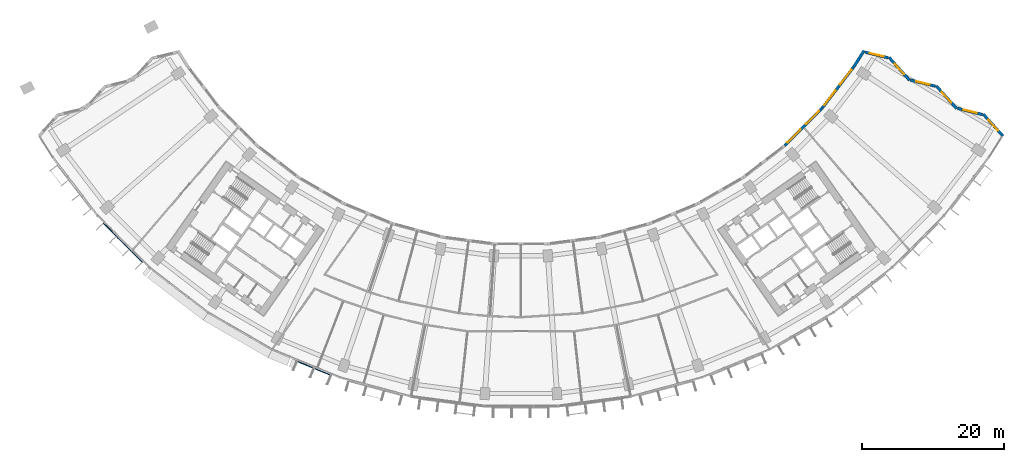
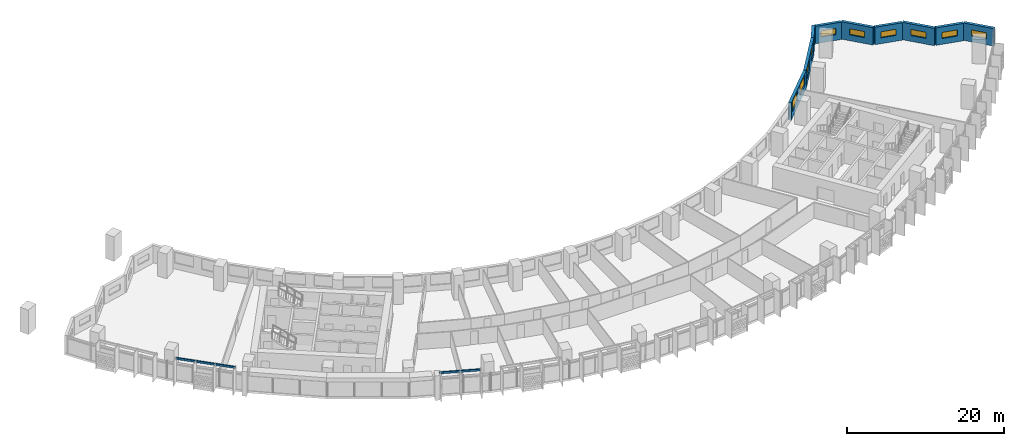
# One storey, part 8 of 31: 10 windows, 9 walls, 2 discrete accessories, 10 openings.
"""IFC4 building model written with IfcOpenShell, lengths in metres."""

from ifc_helpers import new_model, si_unit, direction, frame, frame_2d, origin, origin_2d, place, context, subcontext, project, spatial, rectangle, extrude, material, layer, layer_set, type_object, element, fill, save


model = new_model("IFC4")

# Units and contexts
model_context = context("Model", 3, precision=1e-05, world=origin(), true_north=direction((0.0, 1.0)))
body_context = subcontext(model_context, "Body", "Model", "MODEL_VIEW")
ifc_project = project(units=[si_unit("LENGTHUNIT", "METRE"), si_unit("AREAUNIT", "SQUARE_METRE"), si_unit("VOLUMEUNIT", "CUBIC_METRE"), si_unit("PLANEANGLEUNIT", "RADIAN"), si_unit("MASSUNIT", "GRAM", prefix="KILO")], contexts=[model_context])

# Site, building, storey
site_placement = place(None, origin())
site = spatial("IfcSite", under=ifc_project, at=site_placement, CompositionType="ELEMENT")
building_placement = place(site_placement, origin())
building = spatial("IfcBuilding", under=site, at=building_placement, Name="Qamariyya Broadcast Tower", CompositionType="ELEMENT")
storey_placement = place(building_placement, frame((0.0, 0.0, 86.10009765625)))
storey = spatial("IfcBuildingStorey", under=building, at=storey_placement, Name="L18", CompositionType="ELEMENT", Elevation=86.10009765625)

# Wall, opening, window
ifc_material_1 = material(Name="Terracotta", Category="masonry")
ifc_layer = layer(ifc_material_1, 0.39990234375)
ifc_layer_set = layer_set([ifc_layer], Name="Terracotta clad wall 400")
wall_type = type_object("IfcWallType", Name="Terracotta clad wall 400", PredefinedType="SOLIDWALL", material=ifc_layer_set)
wall_1_placement = place(storey_placement, frame((68.1005859375, -41.19580078125, 0.0), z_axis=(0.0, 0.0, 1.0), x_axis=(-0.667025108107, 0.745035237525, 0.0)))
wall_1 = element("IfcWall", 1, at=wall_1_placement, inside=storey, type_object=wall_type, Name="e-wl-L18-capE0", PredefinedType="SOLIDWALL", context=body_context, shape_type="SweptSolid", body=[
    extrude(rectangle(XDim=4.12158203125, YDim=0.39990234375, at=frame_2d((2.060791015625, 0.0))), origin(), (0.0, 0.0, 1.0), 2.699951171875),
])
opening_1_placement = place(wall_1_placement, frame((1.060791015625, 0.0, 0.89990234375)))
opening_1 = element("IfcOpeningElement", 2, at=opening_1_placement, cuts=wall_1, Name="Opening W4", PredefinedType="OPENING", context=body_context, shape_type="SweptSolid", body=[
    extrude(rectangle(XDim=2.0, YDim=0.949951171875, at=frame_2d((1.0, 0.47509765625))), frame((0.0, 0.2099609375, 0.0), z_axis=(0.0, -1.0, 0.0), x_axis=(1.0, 0.0, 0.0)), (0.0, 0.0, 1.0), 0.419921875),
])
ifc_material_2 = material(Name="Clear low-e double glazed unit in aluminium frame", Category="aluminium")
window_type_1 = type_object("IfcWindowType", Name="Horn bay window 2000 x 950", PartitioningType="SINGLE_PANEL", PredefinedType="WINDOW", material=ifc_material_2)
window_1_placement = place(opening_1_placement, origin())
window_1 = element("IfcWindow", 3, at=window_1_placement, inside=storey, type_object=window_type_1, Name="e-w-L18-capE0", OverallHeight=0.949951171875, OverallWidth=2.0, PartitioningType="SINGLE_PANEL", PredefinedType="WINDOW", context=body_context, shape_type="SweptSolid", body=[
    extrude(rectangle(XDim=2.0, YDim=0.949951171875, at=frame_2d((1.0, 0.47509765625))), frame((0.0, 0.030029296875, 0.0), z_axis=(0.0, -1.0, 0.0), x_axis=(1.0, 0.0, 0.0)), (0.0, 0.0, 1.0), 0.06005859375),
])
fill(opening_1, window_1)

wall_2_placement = place(storey_placement, frame((65.227294921875, -38.158203125, 0.0), z_axis=(0.0, 0.0, 1.0), x_axis=(-0.971052614282, 0.2388656951, 0.0)))
wall_2 = element("IfcWall", 4, at=wall_2_placement, inside=storey, type_object=wall_type, Name="e-wl-L18-capE1", PredefinedType="SOLIDWALL", context=body_context, shape_type="SweptSolid", body=[
    extrude(rectangle(XDim=3.64892578125, YDim=0.39990234375, at=frame_2d((1.824462890625, 0.0))), origin(), (0.0, 0.0, 1.0), 2.699951171875),
])
opening_2_placement = place(wall_2_placement, frame((0.824462890625, 0.0, 0.89990234375)))
opening_2 = element("IfcOpeningElement", 5, at=opening_2_placement, cuts=wall_2, Name="Opening W4", PredefinedType="OPENING", context=body_context, shape_type="SweptSolid", body=[
    extrude(rectangle(XDim=2.0, YDim=0.949951171875, at=frame_2d((1.0, 0.47509765625))), frame((0.0, 0.2099609375, 0.0), z_axis=(0.0, -1.0, 0.0), x_axis=(1.0, 0.0, 0.0)), (0.0, 0.0, 1.0), 0.419921875),
])
window_2_placement = place(opening_2_placement, origin())
window_2 = element("IfcWindow", 6, at=window_2_placement, inside=storey, type_object=window_type_1, Name="e-w-L18-capE1", OverallHeight=0.949951171875, OverallWidth=2.0, PartitioningType="SINGLE_PANEL", PredefinedType="WINDOW", context=body_context, shape_type="SweptSolid", body=[
    extrude(rectangle(XDim=2.0, YDim=0.949951171875, at=frame_2d((1.0, 0.47509765625))), frame((0.0, 0.030029296875, 0.0), z_axis=(0.0, -1.0, 0.0), x_axis=(1.0, 0.0, 0.0)), (0.0, 0.0, 1.0), 0.06005859375),
])
fill(opening_2, window_2)

wall_3_placement = place(storey_placement, frame((61.56005859375, -37.31982421875, 0.0), z_axis=(0.0, 0.0, 1.0), x_axis=(-0.667062355114, 0.74500188885, 0.0)))
wall_3 = element("IfcWall", 7, at=wall_3_placement, inside=storey, type_object=wall_type, Name="e-wl-L18-capE2", PredefinedType="SOLIDWALL", context=body_context, shape_type="SweptSolid", body=[
    extrude(rectangle(XDim=4.294677734375, YDim=0.39990234375, at=frame_2d((2.1474609375, 0.0))), origin(), (0.0, 0.0, 1.0), 2.699951171875),
])
opening_3_placement = place(wall_3_placement, frame((1.147216796875, 0.0, 0.89990234375)))
opening_3 = element("IfcOpeningElement", 8, at=opening_3_placement, cuts=wall_3, Name="Opening W4", PredefinedType="OPENING", context=body_context, shape_type="SweptSolid", body=[
    extrude(rectangle(XDim=2.0, YDim=0.949951171875, at=frame_2d((1.0, 0.47509765625))), frame((0.0, 0.2099609375, 0.0), z_axis=(0.0, -1.0, 0.0), x_axis=(1.0, 0.0, 0.0)), (0.0, 0.0, 1.0), 0.419921875),
])
window_3_placement = place(opening_3_placement, origin())
window_3 = element("IfcWindow", 9, at=window_3_placement, inside=storey, type_object=window_type_1, Name="e-w-L18-capE2", OverallHeight=0.949951171875, OverallWidth=2.0, PartitioningType="SINGLE_PANEL", PredefinedType="WINDOW", context=body_context, shape_type="SweptSolid", body=[
    extrude(rectangle(XDim=2.0, YDim=0.949951171875, at=frame_2d((1.0, 0.47509765625))), frame((0.0, 0.030029296875, 0.0), z_axis=(0.0, -1.0, 0.0), x_axis=(1.0, 0.0, 0.0)), (0.0, 0.0, 1.0), 0.06005859375),
])
fill(opening_3, window_3)

wall_4_placement = place(storey_placement, frame((58.5712890625, -34.15380859375, 0.0), z_axis=(0.0, 0.0, 1.0), x_axis=(-0.971052863512, 0.238864681913, 0.0)))
wall_4 = element("IfcWall", 10, at=wall_4_placement, inside=storey, type_object=wall_type, Name="e-wl-L18-capE3", PredefinedType="SOLIDWALL", context=body_context, shape_type="SweptSolid", body=[
    extrude(rectangle(XDim=3.64794921875, YDim=0.39990234375, at=frame_2d((1.823974609375, 0.0))), origin(), (0.0, 0.0, 1.0), 2.699951171875),
])
opening_4_placement = place(wall_4_placement, frame((0.82373046875, 0.0, 0.89990234375)))
opening_4 = element("IfcOpeningElement", 11, at=opening_4_placement, cuts=wall_4, Name="Opening W4", PredefinedType="OPENING", context=body_context, shape_type="SweptSolid", body=[
    extrude(rectangle(XDim=2.0, YDim=0.949951171875, at=frame_2d((1.0, 0.47509765625))), frame((0.0, 0.2099609375, 0.0), z_axis=(0.0, -1.0, 0.0), x_axis=(1.0, 0.0, 0.0)), (0.0, 0.0, 1.0), 0.419921875),
])
window_4_placement = place(opening_4_placement, origin())
window_4 = element("IfcWindow", 12, at=window_4_placement, inside=storey, type_object=window_type_1, Name="e-w-L18-capE3", OverallHeight=0.949951171875, OverallWidth=2.0, PartitioningType="SINGLE_PANEL", PredefinedType="WINDOW", context=body_context, shape_type="SweptSolid", body=[
    extrude(rectangle(XDim=2.0, YDim=0.949951171875, at=frame_2d((1.0, 0.47509765625))), frame((0.0, 0.030029296875, 0.0), z_axis=(0.0, -1.0, 0.0), x_axis=(1.0, 0.0, 0.0)), (0.0, 0.0, 1.0), 0.06005859375),
])
fill(opening_4, window_4)

wall_5_placement = place(storey_placement, frame((54.905029296875, -33.31591796875, 0.0), z_axis=(0.0, 0.0, 1.0), x_axis=(-0.667103797897, 0.744964779591, 0.0)))
wall_5 = element("IfcWall", 13, at=wall_5_placement, inside=storey, type_object=wall_type, Name="e-wl-L18-capE4", PredefinedType="SOLIDWALL", context=body_context, shape_type="SweptSolid", body=[
    extrude(rectangle(XDim=4.295654296875, YDim=0.39990234375, at=frame_2d((2.14794921875, 0.0))), origin(), (0.0, 0.0, 1.0), 2.699951171875),
])
opening_5_placement = place(wall_5_placement, frame((1.14794921875, 0.0, 0.89990234375)))
opening_5 = element("IfcOpeningElement", 14, at=opening_5_placement, cuts=wall_5, Name="Opening W4", PredefinedType="OPENING", context=body_context, shape_type="SweptSolid", body=[
    extrude(rectangle(XDim=2.0, YDim=0.949951171875, at=frame_2d((1.0, 0.47509765625))), frame((0.0, 0.2099609375, 0.0), z_axis=(0.0, -1.0, 0.0), x_axis=(1.0, 0.0, 0.0)), (0.0, 0.0, 1.0), 0.419921875),
])
window_5_placement = place(opening_5_placement, origin())
window_5 = element("IfcWindow", 15, at=window_5_placement, inside=storey, type_object=window_type_1, Name="e-w-L18-capE4", OverallHeight=0.949951171875, OverallWidth=2.0, PartitioningType="SINGLE_PANEL", PredefinedType="WINDOW", context=body_context, shape_type="SweptSolid", body=[
    extrude(rectangle(XDim=2.0, YDim=0.949951171875, at=frame_2d((1.0, 0.47509765625))), frame((0.0, 0.030029296875, 0.0), z_axis=(0.0, -1.0, 0.0), x_axis=(1.0, 0.0, 0.0)), (0.0, 0.0, 1.0), 0.06005859375),
])
fill(opening_5, window_5)

wall_6_placement = place(storey_placement, frame((51.9150390625, -30.149169921875, 0.0), z_axis=(0.0, 0.0, 1.0), x_axis=(-0.971070326024, 0.238793680646, 0.0)))
wall_6 = element("IfcWall", 16, at=wall_6_placement, inside=storey, type_object=wall_type, Name="e-wl-L18-capE5", PredefinedType="SOLIDWALL", context=body_context, shape_type="SweptSolid", body=[
    extrude(rectangle(XDim=3.394287109375, YDim=0.39990234375, at=frame_2d((1.697265625, 0.0))), origin(), (0.0, 0.0, 1.0), 2.699951171875),
])
opening_6_placement = place(wall_6_placement, frame((0.697265625, 0.0, 0.89990234375)))
opening_6 = element("IfcOpeningElement", 17, at=opening_6_placement, cuts=wall_6, Name="Opening W4", PredefinedType="OPENING", context=body_context, shape_type="SweptSolid", body=[
    extrude(rectangle(XDim=2.0, YDim=0.949951171875, at=frame_2d((1.0, 0.47509765625))), frame((0.0, 0.2099609375, 0.0), z_axis=(0.0, -1.0, 0.0), x_axis=(1.0, 0.0, 0.0)), (0.0, 0.0, 1.0), 0.419921875),
])
window_6_placement = place(opening_6_placement, origin())
window_6 = element("IfcWindow", 18, at=window_6_placement, inside=storey, type_object=window_type_1, Name="e-w-L18-capE5", OverallHeight=0.949951171875, OverallWidth=2.0, PartitioningType="SINGLE_PANEL", PredefinedType="WINDOW", context=body_context, shape_type="SweptSolid", body=[
    extrude(rectangle(XDim=2.0, YDim=0.949951171875, at=frame_2d((1.0, 0.47509765625))), frame((0.0, 0.030029296875, 0.0), z_axis=(0.0, -1.0, 0.0), x_axis=(1.0, 0.0, 0.0)), (0.0, 0.0, 1.0), 0.06005859375),
])
fill(opening_6, window_6)

# Wall, openings, windows
wall_7_placement = place(storey_placement, frame((42.534423828125, -37.2685546875, 0.0), z_axis=(0.0, 0.0, 1.0), x_axis=(-0.707106781187, -0.707106781187, 0.0)))
wall_7 = element("IfcWall", 19, at=wall_7_placement, inside=storey, type_object=wall_type, Name="e-wl-L18-in140", PredefinedType="SOLIDWALL", context=body_context, shape_type="SweptSolid", body=[
    extrude(rectangle(XDim=7.447021484375, YDim=0.39990234375, at=frame_2d((3.7236328125, 0.0))), origin(), (0.0, 0.0, 1.0), 2.699951171875),
])
opening_7_placement = place(wall_7_placement, frame((4.266357421875, 0.0, 0.89990234375)))
opening_7 = element("IfcOpeningElement", 20, at=opening_7_placement, cuts=wall_7, Name="Opening W1", PredefinedType="OPENING", context=body_context, shape_type="SweptSolid", body=[
    extrude(rectangle(XDim=2.60009765625, YDim=1.64990234375, at=frame_2d((1.300048828125, 0.824951171875))), frame((0.0, 0.2099609375, 0.0), z_axis=(0.0, -1.0, 0.0), x_axis=(1.0, 0.0, 0.0)), (0.0, 0.0, 1.0), 0.419921875),
])
opening_8_placement = place(wall_7_placement, frame((0.580810546875, 0.0, 0.89990234375)))
opening_8 = element("IfcOpeningElement", 21, at=opening_8_placement, cuts=wall_7, Name="Opening W1", PredefinedType="OPENING", context=body_context, shape_type="SweptSolid", body=[
    extrude(rectangle(XDim=2.60009765625, YDim=1.64990234375, at=frame_2d((1.300048828125, 0.824951171875))), frame((0.0, 0.2099609375, 0.0), z_axis=(0.0, -1.0, 0.0), x_axis=(1.0, 0.0, 0.0)), (0.0, 0.0, 1.0), 0.419921875),
])
window_type_2 = type_object("IfcWindowType", Name="Ribbon window 2600 x 1650", PartitioningType="SINGLE_PANEL", PredefinedType="WINDOW", material=ifc_material_2)
window_7_placement = place(opening_7_placement, origin())
window_7 = element("IfcWindow", 22, at=window_7_placement, inside=storey, type_object=window_type_2, Name="e-w-L18-in14-0", OverallHeight=1.64990234375, OverallWidth=2.60009765625, PartitioningType="SINGLE_PANEL", PredefinedType="WINDOW", context=body_context, shape_type="SweptSolid", body=[
    extrude(rectangle(XDim=2.60009765625, YDim=1.64990234375, at=frame_2d((1.300048828125, 0.824951171875))), frame((0.0, 0.030029296875, 0.0), z_axis=(0.0, -1.0, 0.0), x_axis=(1.0, 0.0, 0.0)), (0.0, 0.0, 1.0), 0.06005859375),
])
fill(opening_7, window_7)
window_8_placement = place(opening_8_placement, origin())
window_8 = element("IfcWindow", 23, at=window_8_placement, inside=storey, type_object=window_type_2, Name="e-w-L18-in14-1", OverallHeight=1.64990234375, OverallWidth=2.60009765625, PartitioningType="SINGLE_PANEL", PredefinedType="WINDOW", context=body_context, shape_type="SweptSolid", body=[
    extrude(rectangle(XDim=2.60009765625, YDim=1.64990234375, at=frame_2d((1.300048828125, 0.824951171875))), frame((0.0, 0.030029296875, 0.0), z_axis=(0.0, -1.0, 0.0), x_axis=(1.0, 0.0, 0.0)), (0.0, 0.0, 1.0), 0.06005859375),
])
fill(opening_8, window_8)

wall_8_placement = place(storey_placement, frame((46.99755859375, -31.447021484375, 0.0), z_axis=(0.0, 0.0, 1.0), x_axis=(-0.608754744979, -0.793358469083, 0.0)))
wall_8 = element("IfcWall", 24, at=wall_8_placement, inside=storey, type_object=wall_type, Name="e-wl-L18-in150", PredefinedType="SOLIDWALL", context=body_context, shape_type="SweptSolid", body=[
    extrude(rectangle(XDim=7.3095703125, YDim=0.39990234375, at=frame_2d((3.65478515625, 0.0))), origin(), (0.0, 0.0, 1.0), 2.699951171875),
])
opening_9_placement = place(wall_8_placement, frame((4.20458984375, 0.0, 0.89990234375)))
opening_9 = element("IfcOpeningElement", 25, at=opening_9_placement, cuts=wall_8, Name="Opening W1", PredefinedType="OPENING", context=body_context, shape_type="SweptSolid", body=[
    extrude(rectangle(XDim=2.60009765625, YDim=1.64990234375, at=frame_2d((1.300048828125, 0.824951171875))), frame((0.0, 0.2099609375, 0.0), z_axis=(0.0, -1.0, 0.0), x_axis=(1.0, 0.0, 0.0)), (0.0, 0.0, 1.0), 0.419921875),
])
opening_10_placement = place(wall_8_placement, frame((0.51904296875, 0.0, 0.89990234375)))
opening_10 = element("IfcOpeningElement", 26, at=opening_10_placement, cuts=wall_8, Name="Opening W1", PredefinedType="OPENING", context=body_context, shape_type="SweptSolid", body=[
    extrude(rectangle(XDim=2.60009765625, YDim=1.64990234375, at=frame_2d((1.300048828125, 0.824951171875))), frame((0.0, 0.2099609375, 0.0), z_axis=(0.0, -1.0, 0.0), x_axis=(1.0, 0.0, 0.0)), (0.0, 0.0, 1.0), 0.419921875),
])
window_9_placement = place(opening_9_placement, origin())
window_9 = element("IfcWindow", 27, at=window_9_placement, inside=storey, type_object=window_type_2, Name="e-w-L18-in15-0", OverallHeight=1.64990234375, OverallWidth=2.60009765625, PartitioningType="SINGLE_PANEL", PredefinedType="WINDOW", context=body_context, shape_type="SweptSolid", body=[
    extrude(rectangle(XDim=2.60009765625, YDim=1.64990234375, at=frame_2d((1.300048828125, 0.824951171875))), frame((0.0, 0.030029296875, 0.0), z_axis=(0.0, -1.0, 0.0), x_axis=(1.0, 0.0, 0.0)), (0.0, 0.0, 1.0), 0.06005859375),
])
fill(opening_9, window_9)
window_10_placement = place(opening_10_placement, origin())
window_10 = element("IfcWindow", 28, at=window_10_placement, inside=storey, type_object=window_type_2, Name="e-w-L18-in15-1", OverallHeight=1.64990234375, OverallWidth=2.60009765625, PartitioningType="SINGLE_PANEL", PredefinedType="WINDOW", context=body_context, shape_type="SweptSolid", body=[
    extrude(rectangle(XDim=2.60009765625, YDim=1.64990234375, at=frame_2d((1.300048828125, 0.824951171875))), frame((0.0, 0.030029296875, 0.0), z_axis=(0.0, -1.0, 0.0), x_axis=(1.0, 0.0, 0.0)), (0.0, 0.0, 1.0), 0.06005859375),
])
fill(opening_10, window_10)

# Wall
wall_9_placement = place(storey_placement, frame((48.47802734375, -29.11865234375, 0.0), z_axis=(0.0, 0.0, 1.0), x_axis=(-0.535693812296, -0.84441230419, 0.0)))
element("IfcWall", 29, at=wall_9_placement, inside=storey, type_object=wall_type, Name="e-wl-L18-in160", PredefinedType="SOLIDWALL", context=body_context, shape_type="SweptSolid", body=[
    extrude(rectangle(XDim=2.74169921875, YDim=0.39990234375, at=frame_2d((1.370849609375, 0.0))), origin(), (0.0, 0.0, 1.0), 2.699951171875),
])

# Discrete accessories
ifc_material_3 = material(Name="Stainless steel 316", Category="steel")
discrete_accessory_type = type_object("IfcDiscreteAccessoryType", Name="Slab edge fixing angle, stainless steel", PredefinedType="BRACKET", material=ifc_material_3)
discrete_accessory_1_placement = place(storey_placement, frame((-56.25341796875, -56.25341796875, 3.2998046875), z_axis=(0.0, 0.0, 1.0), x_axis=(0.707106781187, -0.707106781187, 0.0)))
element("IfcDiscreteAccessory", 30, at=discrete_accessory_1_placement, inside=storey, type_object=discrete_accessory_type, Name="e-br-L18-02-0", PredefinedType="BRACKET", context=body_context, shape_type="SweptSolid", body=[
    extrude(rectangle(XDim=7.9140625, YDim=0.14990234375, at=origin_2d()), origin(), (0.0, 0.0, 1.0), 0.300048828125),
])
discrete_accessory_2_placement = place(storey_placement, frame((-29.240966796875, -73.9970703125, 3.2998046875), z_axis=(0.0, 0.0, 1.0), x_axis=(0.923879532511, -0.382683432365, 0.0)))
element("IfcDiscreteAccessory", 31, at=discrete_accessory_2_placement, inside=storey, type_object=discrete_accessory_type, Name="e-br-L18-05-0", PredefinedType="BRACKET", context=body_context, shape_type="SweptSolid", body=[
    extrude(rectangle(XDim=5.309326171875, YDim=0.14990234375, at=origin_2d()), origin(), (0.0, 0.0, 1.0), 0.300048828125),
])

save(model, "model.ifc")
